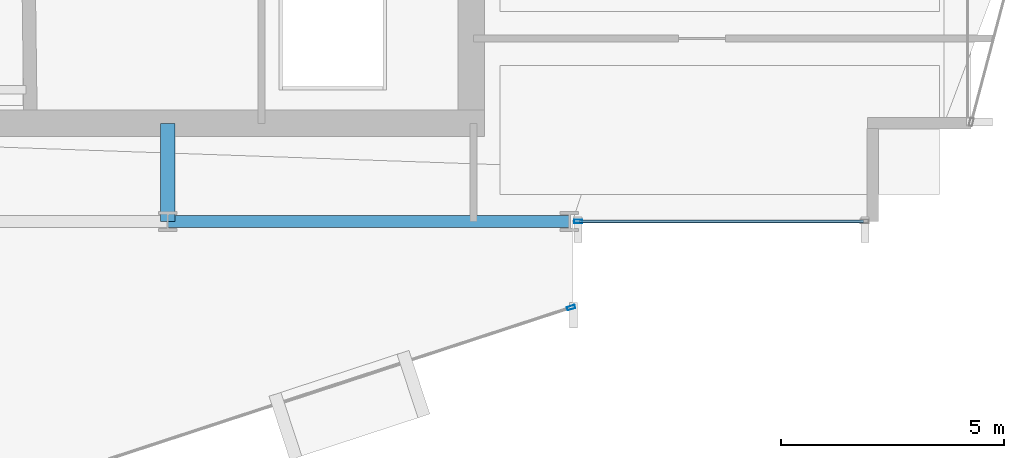
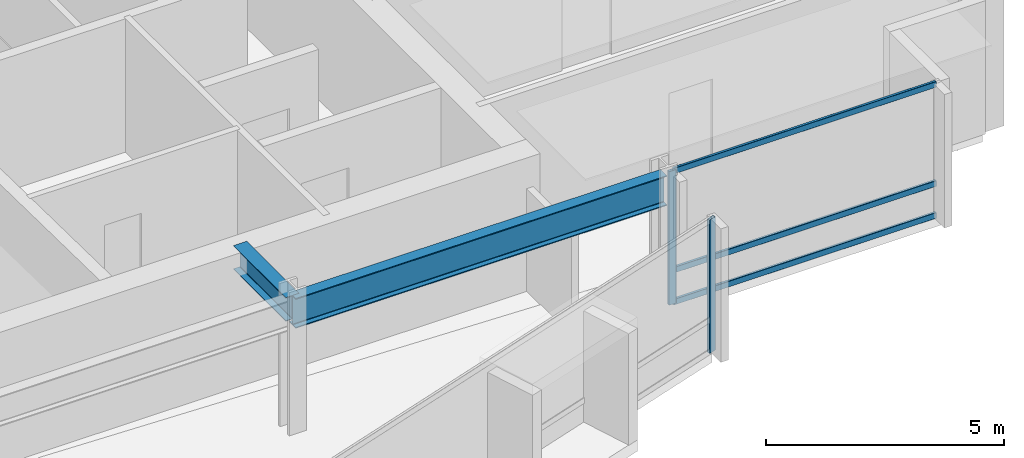
# One storey, part 10 of 29: 5 members, 2 beams, 2 elements without a shape of their own.
"""IFC4 building model written with IfcOpenShell, lengths in metres."""

from ifc_helpers import new_model, si_unit, direction, frame, origin, origin_2d, place, context, subcontext, project, spatial, hollow_rectangle, i_section, extrude, material, layer, layer_set, material_profile, profile_set, type_object, element, aggregate, save


model = new_model("IFC4")

# Units and contexts
model_context = context("Model", 3, precision=1e-05, world=origin(), true_north=direction((0.0, 1.0)))
body_context = subcontext(model_context, "Body", "Model", "MODEL_VIEW")
ifc_project = project(units=[si_unit("LENGTHUNIT", "METRE"), si_unit("AREAUNIT", "SQUARE_METRE"), si_unit("VOLUMEUNIT", "CUBIC_METRE"), si_unit("PLANEANGLEUNIT", "RADIAN"), si_unit("MASSUNIT", "GRAM", prefix="KILO")], contexts=[model_context])

# Site, building, storey
site_placement = place(None, origin())
site = spatial("IfcSite", under=ifc_project, at=site_placement, CompositionType="ELEMENT")
building_placement = place(site_placement, origin())
building = spatial("IfcBuilding", under=site, at=building_placement, Name="Solvaryn Broadcast Tower", CompositionType="ELEMENT")
storey_placement = place(building_placement, frame((0.0, 0.0, 124.800048828125)))
storey = spatial("IfcBuildingStorey", under=building, at=storey_placement, Name="L30", CompositionType="ELEMENT", Elevation=124.800048828125)

# Beams
ifc_material_1 = material(Name="Steel ASTM A992 Grade 50", Category="steel")
ifc_material_profile_1 = material_profile(ifc_material_1, i_section(OverallWidth=0.323974609375, OverallDepth=0.611083984375, WebThickness=0.0126953125, FlangeThickness=0.01904296875, FilletRadius=0.014892578125, at=origin_2d()))
ifc_profile_set_1 = profile_set([ifc_material_profile_1], Name="Steel ASTM A992 Grade 50")
beam_type_1 = type_object("IfcBeamType", Name="BM-B1-W24X104", PredefinedType="BEAM", material=ifc_profile_set_1)
beam_1_placement = place(storey_placement, frame((36.0, 9.0, 3.114501953125), z_axis=(0.0, 1.0, 0.0), x_axis=(-1.0, 0.0, 0.0)))
element("IfcBeam", 1, at=beam_1_placement, inside=storey, type_object=beam_type_1, Name="L30 Core Tie Beam CTE1", PredefinedType="BEAM", context=body_context, shape_type="SweptSolid", body=[
    extrude(i_section(OverallWidth=0.323974609375, OverallDepth=0.611083984375, WebThickness=0.0126953125, FlangeThickness=0.01904296875, FilletRadius=0.014892578125, at=origin_2d()), origin(), (0.0, 0.0, 1.0), 2.199951171875),
])
ifc_material_2 = material(Name="Steel ASTM A992 Grade 50", Category="steel")
ifc_material_profile_2 = material_profile(ifc_material_2, i_section(OverallWidth=0.26708984375, OverallDepth=0.76611328125, WebThickness=0.014892578125, FlangeThickness=0.023681640625, FilletRadius=0.01806640625, at=origin_2d()))
ifc_profile_set_2 = profile_set([ifc_material_profile_2], Name="Steel ASTM A992 Grade 50")
beam_type_2 = type_object("IfcBeamType", Name="BM-SP2-W30X124", PredefinedType="USERDEFINED", material=ifc_profile_set_2)
beam_2_placement = place(storey_placement, frame((36.0, 9.0, 3.036865234375), z_axis=(1.0, 0.0, 0.0), x_axis=(0.0, 1.0, 0.0)))
element("IfcBeam", 2, at=beam_2_placement, inside=storey, type_object=beam_type_2, Name="L30 Spandrel Beam X (36-45 @ Y=9)", ObjectType="SPANDREL", PredefinedType="USERDEFINED", context=body_context, shape_type="SweptSolid", body=[
    extrude(i_section(OverallWidth=0.26708984375, OverallDepth=0.76611328125, WebThickness=0.014892578125, FlangeThickness=0.023681640625, FilletRadius=0.01806640625, at=origin_2d()), origin(), (0.0, 0.0, 1.0), 9.0),
])

# Curtain wall, member
ifc_material_3 = material(Name="Aluminium and Terracotta Unitised Curtain Wall", Category="masonry")
ifc_layer = layer(ifc_material_3, 0.199951171875)
ifc_layer_set = layer_set([ifc_layer], Name="CW-SYS2-LOWMID")
curtain_wall_type = type_object("IfcCurtainWallType", Name="CW-SYS2-LOWMID", PredefinedType="NOTDEFINED", material=ifc_layer_set)
curtain_wall_1_placement = place(storey_placement, origin())
curtain_wall_1 = element("IfcCurtainWall", 3, at=curtain_wall_1_placement, inside=storey, type_object=curtain_wall_type, Name="L30 Curtain Wall DR4", PredefinedType="NOTDEFINED")
ifc_material_4 = material(Name="Anodised Aluminium 6063-T6", Category="aluminium")
ifc_material_profile_3 = material_profile(ifc_material_4, hollow_rectangle(XDim=0.074951171875, YDim=0.179931640625, WallThickness=0.00390625, InnerFilletRadius=0.00390625, OuterFilletRadius=0.008056640625, at=origin_2d()))
ifc_profile_set_3 = profile_set([ifc_material_profile_3], Name="Anodised Aluminium 6063-T6")
member_type_1 = type_object("IfcMemberType", Name="CW-MUL-180", PredefinedType="MULLION", material=ifc_profile_set_3)
member_1_placement = place(storey_placement, frame((45.03857421875, 7.069580078125, 0.0), z_axis=(0.0, 0.0, 1.0), x_axis=(-0.311646057547, 0.950198260794, 0.0)))
member_1 = element("IfcMember", 4, at=member_1_placement, type_object=member_type_1, Name="CWS2 mullion 2", PredefinedType="MULLION", context=body_context, shape_type="SweptSolid", body=[
    extrude(hollow_rectangle(XDim=0.074951171875, YDim=0.179931640625, WallThickness=0.00390625, InnerFilletRadius=0.00390625, OuterFilletRadius=0.008056640625, at=origin_2d()), origin(), (0.0, 0.0, 1.0), 3.419921875),
])
aggregate(curtain_wall_1, [member_1])

# Curtain wall, members
curtain_wall_2_placement = place(storey_placement, origin())
curtain_wall_2 = element("IfcCurtainWall", 5, at=curtain_wall_2_placement, inside=storey, type_object=curtain_wall_type, Name="L30 Curtain Wall S2", PredefinedType="NOTDEFINED")
member_2_placement = place(storey_placement, frame((45.197021484375, 9.0, 0.0), z_axis=(0.0, 0.0, 1.0), x_axis=(0.0, 1.0, 0.0)))
member_2 = element("IfcMember", 6, at=member_2_placement, type_object=member_type_1, Name="CWS2 mullion 1", PredefinedType="MULLION", context=body_context, shape_type="SweptSolid", body=[
    extrude(hollow_rectangle(XDim=0.074951171875, YDim=0.179931640625, WallThickness=0.00390625, InnerFilletRadius=0.00390625, OuterFilletRadius=0.008056640625, at=origin_2d()), origin(), (0.0, 0.0, 1.0), 3.419921875),
])
ifc_material_5 = material(Name="Anodised Aluminium 6063-T6", Category="aluminium")
ifc_material_profile_4 = material_profile(ifc_material_5, hollow_rectangle(XDim=0.06494140625, YDim=0.14990234375, WallThickness=0.00390625, InnerFilletRadius=0.00390625, OuterFilletRadius=0.008056640625, at=origin_2d()))
ifc_profile_set_4 = profile_set([ifc_material_profile_4], Name="Anodised Aluminium 6063-T6")
member_type_2 = type_object("IfcMemberType", Name="CW-TRN-150", PredefinedType="USERDEFINED", material=ifc_profile_set_4)
member_3_placement = place(storey_placement, frame((45.22705078125, 9.0, 0.030029296875), z_axis=(1.0, 0.0, 0.0), x_axis=(0.0, 1.0, 0.0)))
member_3 = element("IfcMember", 7, at=member_3_placement, type_object=member_type_2, Name="CWS2 transom 1.1", ObjectType="TRANSOM", PredefinedType="USERDEFINED", context=body_context, shape_type="SweptSolid", body=[
    extrude(hollow_rectangle(XDim=0.06494140625, YDim=0.14990234375, WallThickness=0.00390625, InnerFilletRadius=0.00390625, OuterFilletRadius=0.008056640625, at=origin_2d()), origin(), (0.0, 0.0, 1.0), 6.363037109375),
])
member_4_placement = place(storey_placement, frame((45.22705078125, 9.0, 0.849853515625), z_axis=(1.0, 0.0, 0.0), x_axis=(0.0, 1.0, 0.0)))
member_4 = element("IfcMember", 8, at=member_4_placement, type_object=member_type_2, Name="CWS2 transom 1.2", ObjectType="TRANSOM", PredefinedType="USERDEFINED", context=body_context, shape_type="SweptSolid", body=[
    extrude(hollow_rectangle(XDim=0.06494140625, YDim=0.14990234375, WallThickness=0.00390625, InnerFilletRadius=0.00390625, OuterFilletRadius=0.008056640625, at=origin_2d()), origin(), (0.0, 0.0, 1.0), 6.363037109375),
])
member_5_placement = place(storey_placement, frame((45.22705078125, 9.0, 3.389892578125), z_axis=(1.0, 0.0, 0.0), x_axis=(0.0, 1.0, 0.0)))
member_5 = element("IfcMember", 9, at=member_5_placement, type_object=member_type_2, Name="CWS2 transom 1.3", ObjectType="TRANSOM", PredefinedType="USERDEFINED", context=body_context, shape_type="SweptSolid", body=[
    extrude(hollow_rectangle(XDim=0.06494140625, YDim=0.14990234375, WallThickness=0.00390625, InnerFilletRadius=0.00390625, OuterFilletRadius=0.008056640625, at=origin_2d()), origin(), (0.0, 0.0, 1.0), 6.363037109375),
])
aggregate(curtain_wall_2, [member_2, member_3, member_4, member_5])

save(model, "model.ifc")
